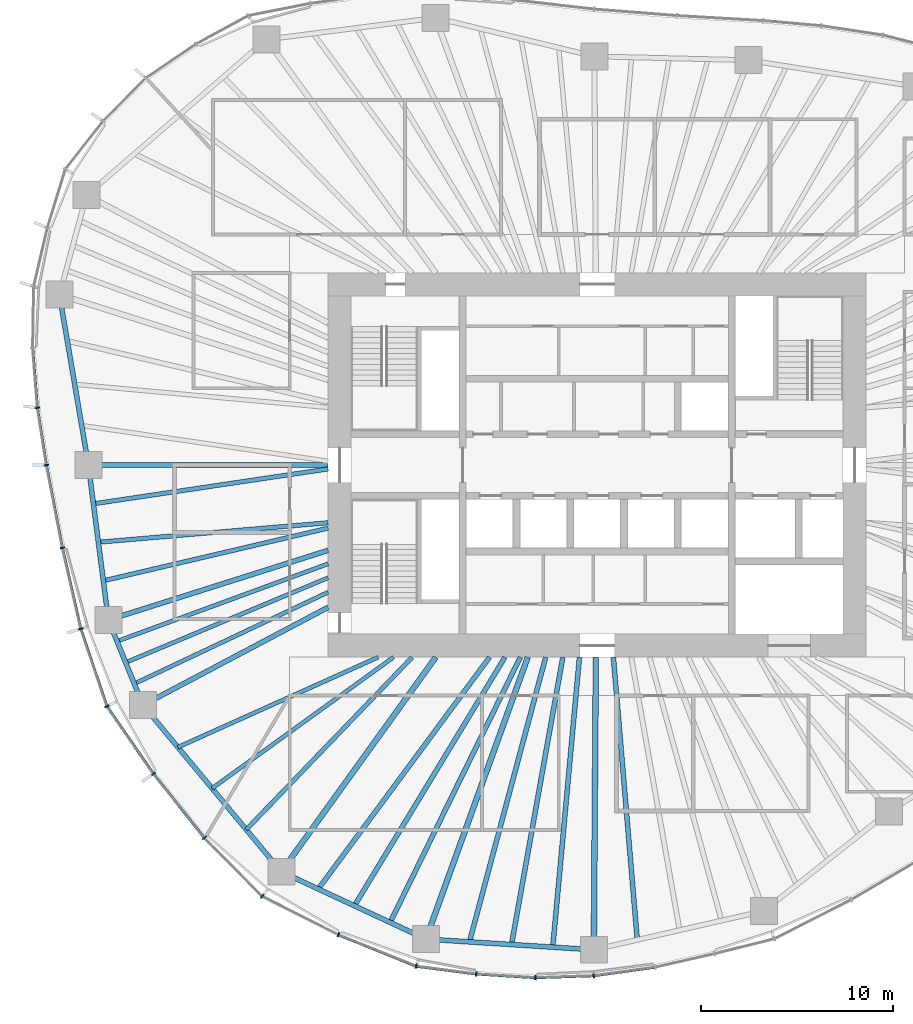
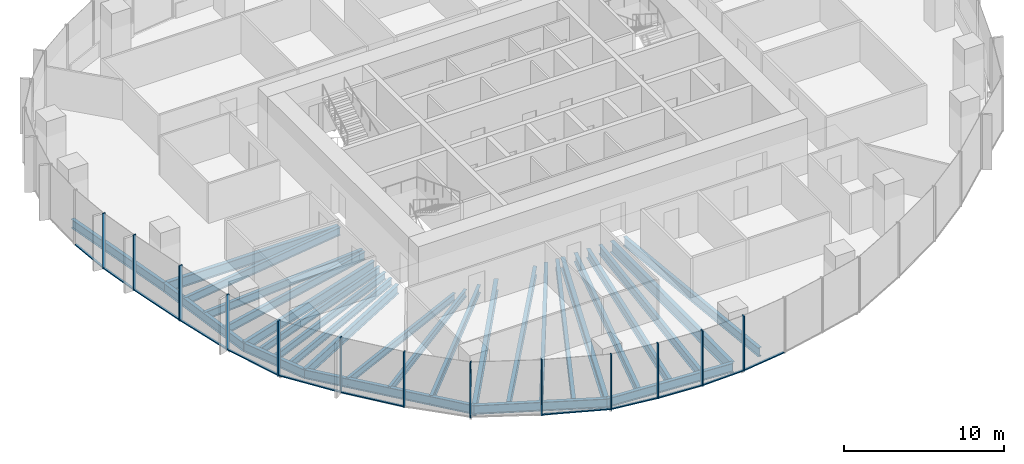
# One storey, part 2 of 18: 28 beams, 25 members, 7 elements without a shape of their own.
"""IFC4 building model written with IfcOpenShell, lengths in metres."""

from ifc_helpers import new_model, si_unit, direction, frame, origin, origin_2d, place, context, subcontext, project, spatial, rectangle, i_section, extrude, material, material_profile, profile_set, type_object, element, aggregate, save


model = new_model("IFC4")

# Units and contexts
model_context = context("Model", 3, precision=1e-05, world=origin(), true_north=direction((0.0, 1.0)))
body_context = subcontext(model_context, "Body", "Model", "MODEL_VIEW")
ifc_project = project(units=[si_unit("LENGTHUNIT", "METRE"), si_unit("AREAUNIT", "SQUARE_METRE"), si_unit("VOLUMEUNIT", "CUBIC_METRE"), si_unit("PLANEANGLEUNIT", "RADIAN"), si_unit("MASSUNIT", "GRAM", prefix="KILO")], contexts=[model_context])

# Site, building, storey
site_placement = place(None, origin())
site = spatial("IfcSite", under=ifc_project, at=site_placement, CompositionType="ELEMENT")
building_placement = place(site_placement, origin())
building = spatial("IfcBuilding", under=site, at=building_placement, Name="Ghaith Harvest Tower", CompositionType="ELEMENT")
storey_placement = place(building_placement, frame((0.0, 0.0, 155.39990234375)))
storey = spatial("IfcBuildingStorey", under=building, at=storey_placement, Name="L33", CompositionType="ELEMENT", Elevation=155.39990234375)

# Curtain wall, member
ifc_material_1 = material(Name="Black anodised aluminium and fritted glass", Category="aluminium")
curtain_wall_type = type_object("IfcCurtainWallType", Name="CW-L CURTAIN WALL", PredefinedType="NOTDEFINED", material=ifc_material_1)
curtain_wall_1_placement = place(storey_placement, origin())
curtain_wall_1 = element("IfcCurtainWall", 1, at=curtain_wall_1_placement, inside=storey, type_object=curtain_wall_type, Name="Curtain wall CW-L bay 10 L33", PredefinedType="NOTDEFINED")
ifc_material_2 = material(Name="Aluminium, black anodised", Category="aluminium")
ifc_material_profile_1 = material_profile(ifc_material_2, rectangle(XDim=0.080078125, YDim=0.239990234375, at=origin_2d()), Name="CW-L MULLION 80x240")
ifc_profile_set_1 = profile_set([ifc_material_profile_1], Name="Aluminium, black anodised")
member_type_1 = type_object("IfcMemberType", Name="CW-L MULLION 80x240", PredefinedType="MULLION", material=ifc_profile_set_1)
member_1_placement = place(storey_placement, frame((-29.131103515625, 2.990478515625, 0.0), z_axis=(0.0, 0.0, 1.0), x_axis=(0.116763791346, -0.993159713757, 0.0)))
member_1 = element("IfcMember", 2, at=member_1_placement, type_object=member_type_1, Name="CW-L mullion 3 bay 10 L33", PredefinedType="MULLION", context=body_context, shape_type="SweptSolid", body=[
    extrude(rectangle(XDim=0.080078125, YDim=0.239990234375, at=origin_2d()), origin(), (0.0, 0.0, 1.0), 4.2001953125),
])

# Curtain wall, members
curtain_wall_2_placement = place(storey_placement, origin())
curtain_wall_2 = element("IfcCurtainWall", 3, at=curtain_wall_2_placement, inside=storey, type_object=curtain_wall_type, Name="Curtain wall CW-L bay 11 L33", PredefinedType="NOTDEFINED")
member_2_placement = place(storey_placement, frame((-28.6611328125, 0.0, 0.0), z_axis=(0.0, 0.0, 1.0), x_axis=(0.175827209372, -0.984421044292, 0.0)))
member_2 = element("IfcMember", 4, at=member_2_placement, type_object=member_type_1, Name="CW-L mullion 1 bay 11 L33", PredefinedType="MULLION", context=body_context, shape_type="SweptSolid", body=[
    extrude(rectangle(XDim=0.080078125, YDim=0.239990234375, at=origin_2d()), origin(), (0.0, 0.0, 1.0), 4.2001953125),
])
member_3_placement = place(storey_placement, frame((-27.828125, -4.30419921875, 0.0), z_axis=(0.0, 0.0, 1.0), x_axis=(0.205176300018, -0.978725030798, 0.0)))
member_3 = element("IfcMember", 5, at=member_3_placement, type_object=member_type_1, Name="CW-L mullion 2 bay 11 L33", PredefinedType="MULLION", context=body_context, shape_type="SweptSolid", body=[
    extrude(rectangle(XDim=0.080078125, YDim=0.239990234375, at=origin_2d()), origin(), (0.0, 0.0, 1.0), 4.2001953125),
])

curtain_wall_3_placement = place(storey_placement, origin())
curtain_wall_3 = element("IfcCurtainWall", 6, at=curtain_wall_3_placement, inside=storey, type_object=curtain_wall_type, Name="Curtain wall CW-L bay 12 L33", PredefinedType="NOTDEFINED")
member_4_placement = place(storey_placement, frame((-26.875732421875, -8.517333984375, 0.0), z_axis=(0.0, 0.0, 1.0), x_axis=(0.270018818005, -0.962855045125, 0.0)))
member_4 = element("IfcMember", 7, at=member_4_placement, type_object=member_type_1, Name="CW-L mullion 1 bay 12 L33", PredefinedType="MULLION", context=body_context, shape_type="SweptSolid", body=[
    extrude(rectangle(XDim=0.080078125, YDim=0.239990234375, at=origin_2d()), origin(), (0.0, 0.0, 1.0), 4.2001953125),
])
member_5_placement = place(storey_placement, frame((-25.513427734375, -12.55810546875, 0.0), z_axis=(0.0, 0.0, 1.0), x_axis=(0.448267068681, -0.893899678452, 0.0)))
member_5 = element("IfcMember", 8, at=member_5_placement, type_object=member_type_1, Name="CW-L mullion 2 bay 12 L33", PredefinedType="MULLION", context=body_context, shape_type="SweptSolid", body=[
    extrude(rectangle(XDim=0.080078125, YDim=0.239990234375, at=origin_2d()), origin(), (0.0, 0.0, 1.0), 4.2001953125),
])

curtain_wall_4_placement = place(storey_placement, origin())
curtain_wall_4 = element("IfcCurtainWall", 9, at=curtain_wall_4_placement, inside=storey, type_object=curtain_wall_type, Name="Curtain wall CW-L bay 13 L33", PredefinedType="NOTDEFINED")
member_6_placement = place(storey_placement, frame((-23.090087890625, -16.066162109375, 0.0), z_axis=(0.0, 0.0, 1.0), x_axis=(0.595740202191, -0.803177198066, 0.0)))
member_6 = element("IfcMember", 10, at=member_6_placement, type_object=member_type_1, Name="CW-L mullion 1 bay 13 L33", PredefinedType="MULLION", context=body_context, shape_type="SweptSolid", body=[
    extrude(rectangle(XDim=0.080078125, YDim=0.239990234375, at=origin_2d()), origin(), (0.0, 0.0, 1.0), 4.2001953125),
])
member_7_placement = place(storey_placement, frame((-20.441162109375, -19.396728515625, 0.0), z_axis=(0.0, 0.0, 1.0), x_axis=(0.663764675537, -0.747941478666, 0.0)))
member_7 = element("IfcMember", 11, at=member_7_placement, type_object=member_type_1, Name="CW-L mullion 2 bay 13 L33", PredefinedType="MULLION", context=body_context, shape_type="SweptSolid", body=[
    extrude(rectangle(XDim=0.080078125, YDim=0.239990234375, at=origin_2d()), origin(), (0.0, 0.0, 1.0), 4.2001953125),
])

curtain_wall_5_placement = place(storey_placement, origin())
curtain_wall_5 = element("IfcCurtainWall", 12, at=curtain_wall_5_placement, inside=storey, type_object=curtain_wall_type, Name="Curtain wall CW-L bay 14 L33", PredefinedType="NOTDEFINED")
member_8_placement = place(storey_placement, frame((-17.430419921875, -22.443603515625, 0.0), z_axis=(0.0, 0.0, 1.0), x_axis=(0.810339399222, -0.585960799089, 0.0)))
member_8 = element("IfcMember", 13, at=member_8_placement, type_object=member_type_1, Name="CW-L mullion 1 bay 14 L33", PredefinedType="MULLION", context=body_context, shape_type="SweptSolid", body=[
    extrude(rectangle(XDim=0.080078125, YDim=0.239990234375, at=origin_2d()), origin(), (0.0, 0.0, 1.0), 4.2001953125),
])
member_9_placement = place(storey_placement, frame((-13.463134765625, -24.4423828125, 0.0), z_axis=(0.0, 0.0, 1.0), x_axis=(0.910648017946, -0.413182995066, 0.0)))
member_9 = element("IfcMember", 14, at=member_9_placement, type_object=member_type_1, Name="CW-L mullion 2 bay 14 L33", PredefinedType="MULLION", context=body_context, shape_type="SweptSolid", body=[
    extrude(rectangle(XDim=0.080078125, YDim=0.239990234375, at=origin_2d()), origin(), (0.0, 0.0, 1.0), 4.2001953125),
])

curtain_wall_6_placement = place(storey_placement, origin())
curtain_wall_6 = element("IfcCurtainWall", 15, at=curtain_wall_6_placement, inside=storey, type_object=curtain_wall_type, Name="Curtain wall CW-L bay 15 L33", PredefinedType="NOTDEFINED")
member_10_placement = place(storey_placement, frame((-9.4189453125, -26.07861328125, 0.0), z_axis=(0.0, 0.0, 1.0), x_axis=(0.961788606004, -0.273793128768, 0.0)))
member_10 = element("IfcMember", 16, at=member_10_placement, type_object=member_type_1, Name="CW-L mullion 1 bay 15 L33", PredefinedType="MULLION", context=body_context, shape_type="SweptSolid", body=[
    extrude(rectangle(XDim=0.080078125, YDim=0.239990234375, at=origin_2d()), origin(), (0.0, 0.0, 1.0), 4.2001953125),
])
member_11_placement = place(storey_placement, frame((-6.29443359375, -26.483154296875, 0.0), z_axis=(0.0, 0.0, 1.0), x_axis=(0.995389243171, -0.095917957546, 0.0)))
member_11 = element("IfcMember", 17, at=member_11_placement, type_object=member_type_1, Name="CW-L mullion 2 bay 15 L33", PredefinedType="MULLION", context=body_context, shape_type="SweptSolid", body=[
    extrude(rectangle(XDim=0.080078125, YDim=0.239990234375, at=origin_2d()), origin(), (0.0, 0.0, 1.0), 4.2001953125),
])
member_12_placement = place(storey_placement, frame((-3.21923828125, -26.676025390625, 0.0), z_axis=(0.0, 0.0, 1.0), x_axis=(0.999890531495, -0.014796115241, 0.0)))
member_12 = element("IfcMember", 18, at=member_12_placement, type_object=member_type_1, Name="CW-L mullion 3 bay 15 L33", PredefinedType="MULLION", context=body_context, shape_type="SweptSolid", body=[
    extrude(rectangle(XDim=0.080078125, YDim=0.239990234375, at=origin_2d()), origin(), (0.0, 0.0, 1.0), 4.2001953125),
])

# Curtain wall, member
curtain_wall_7_placement = place(storey_placement, origin())
curtain_wall_7 = element("IfcCurtainWall", 19, at=curtain_wall_7_placement, inside=storey, type_object=curtain_wall_type, Name="Curtain wall CW-L bay 16 L33", PredefinedType="NOTDEFINED")
member_13_placement = place(storey_placement, frame((-0.181884765625, -26.57373046875, 0.0), z_axis=(0.0, 0.0, 1.0), x_axis=(0.996169227662, 0.087446382772, 0.0)))
member_13 = element("IfcMember", 20, at=member_13_placement, type_object=member_type_1, Name="CW-L mullion 1 bay 16 L33", PredefinedType="MULLION", context=body_context, shape_type="SweptSolid", body=[
    extrude(rectangle(XDim=0.080078125, YDim=0.239990234375, at=origin_2d()), origin(), (0.0, 0.0, 1.0), 4.2001953125),
])

# Member
ifc_material_3 = material(Name="Aluminium, black anodised", Category="aluminium")
ifc_material_profile_2 = material_profile(ifc_material_3, rectangle(XDim=0.14990234375, YDim=0.080078125, at=origin_2d()), Name="CW-L TRANSOM 150x80")
ifc_profile_set_2 = profile_set([ifc_material_profile_2], Name="Aluminium, black anodised")
member_type_2 = type_object("IfcMemberType", Name="CW-L TRANSOM 150x80", PredefinedType="USERDEFINED", material=ifc_profile_set_2)
member_14_placement = place(storey_placement, frame((-29.374755859375, 6.05615234375, 0.0400390625), z_axis=(0.079230491279, -0.996856323274, 0.0), x_axis=(0.996856323274, 0.079230491279, 0.0)))
member_14 = element("IfcMember", 21, at=member_14_placement, type_object=member_type_2, Name="CW-L transom 2 bay 10 L33", ObjectType="TRANSOM", PredefinedType="USERDEFINED", context=body_context, shape_type="SweptSolid", body=[
    extrude(rectangle(XDim=0.14990234375, YDim=0.080078125, at=origin_2d()), origin(), (0.0, 0.0, 1.0), 3.03515625),
])

member_15_placement = place(storey_placement, frame((-29.124755859375, 2.951171875, 0.0400390625), z_axis=(0.155150065502, -0.987890913601, 0.0), x_axis=(0.987890913601, 0.155150065502, 0.0)))
member_15 = element("IfcMember", 22, at=member_15_placement, type_object=member_type_2, Name="CW-L transom 3 bay 10 L33", ObjectType="TRANSOM", PredefinedType="USERDEFINED", context=body_context, shape_type="SweptSolid", body=[
    extrude(rectangle(XDim=0.14990234375, YDim=0.080078125, at=origin_2d()), origin(), (0.0, 0.0, 1.0), 2.947265625),
])

aggregate(curtain_wall_1, [member_14, member_1, member_15])

member_16_placement = place(storey_placement, frame((-28.653564453125, -0.039306640625, 0.0400390625), z_axis=(0.190025434036, -0.981779167848, 0.0), x_axis=(0.981779167848, 0.190025434036, 0.0)))
member_16 = element("IfcMember", 23, at=member_16_placement, type_object=member_type_2, Name="CW-L transom 1 bay 11 L33", ObjectType="TRANSOM", PredefinedType="USERDEFINED", context=body_context, shape_type="SweptSolid", body=[
    extrude(rectangle(XDim=0.14990234375, YDim=0.080078125, at=origin_2d()), origin(), (0.0, 0.0, 1.0), 4.303955078125),
])

member_17_placement = place(storey_placement, frame((-27.8193359375, -4.34326171875, 0.0400390625), z_axis=(0.220508326041, -0.975385092231, 0.0), x_axis=(0.975385092231, 0.220508326041, 0.0)))
member_17 = element("IfcMember", 24, at=member_17_placement, type_object=member_type_2, Name="CW-L transom 2 bay 11 L33", ObjectType="TRANSOM", PredefinedType="USERDEFINED", context=body_context, shape_type="SweptSolid", body=[
    extrude(rectangle(XDim=0.14990234375, YDim=0.080078125, at=origin_2d()), origin(), (0.0, 0.0, 1.0), 4.2392578125),
])

aggregate(curtain_wall_2, [member_2, member_16, member_3, member_17])

member_18_placement = place(storey_placement, frame((-26.863037109375, -8.55517578125, 0.0400390625), z_axis=(0.319499057133, -0.947586593664, 0.0), x_axis=(0.947586593664, 0.319499057133, 0.0)))
member_18 = element("IfcMember", 25, at=member_18_placement, type_object=member_type_2, Name="CW-L transom 1 bay 12 L33", ObjectType="TRANSOM", PredefinedType="USERDEFINED", context=body_context, shape_type="SweptSolid", body=[
    extrude(rectangle(XDim=0.14990234375, YDim=0.080078125, at=origin_2d()), origin(), (0.0, 0.0, 1.0), 4.184326171875),
])

member_19_placement = place(storey_placement, frame((-25.49072265625, -12.591064453125, 0.0400390625), z_axis=(0.568360052499, -0.822779952796, 0.0), x_axis=(0.822779952796, 0.568360052499, 0.0)))
member_19 = element("IfcMember", 26, at=member_19_placement, type_object=member_type_2, Name="CW-L transom 2 bay 12 L33", ObjectType="TRANSOM", PredefinedType="USERDEFINED", context=body_context, shape_type="SweptSolid", body=[
    extrude(rectangle(XDim=0.14990234375, YDim=0.080078125, at=origin_2d()), origin(), (0.0, 0.0, 1.0), 4.183837890625),
])

aggregate(curtain_wall_3, [member_4, member_18, member_5, member_19])

member_20_placement = place(storey_placement, frame((-23.065185546875, -16.09765625, 0.0400390625), z_axis=(0.622510542814, -0.782611413209, 0.0), x_axis=(0.782611413209, 0.622510542814, 0.0)))
member_20 = element("IfcMember", 27, at=member_20_placement, type_object=member_type_2, Name="CW-L transom 1 bay 13 L33", ObjectType="TRANSOM", PredefinedType="USERDEFINED", context=body_context, shape_type="SweptSolid", body=[
    extrude(rectangle(XDim=0.14990234375, YDim=0.080078125, at=origin_2d()), origin(), (0.0, 0.0, 1.0), 4.17529296875),
])

aggregate(curtain_wall_4, [member_6, member_20, member_7])

member_21_placement = place(storey_placement, frame((-13.426025390625, -24.45751953125, 0.0400390625), z_axis=(0.92700297754, -0.375053968959, 0.0), x_axis=(0.375053968959, 0.92700297754, 0.0)))
member_21 = element("IfcMember", 28, at=member_21_placement, type_object=member_type_2, Name="CW-L transom 2 bay 14 L33", ObjectType="TRANSOM", PredefinedType="USERDEFINED", context=body_context, shape_type="SweptSolid", body=[
    extrude(rectangle(XDim=0.14990234375, YDim=0.080078125, at=origin_2d()), origin(), (0.0, 0.0, 1.0), 4.282470703125),
])

aggregate(curtain_wall_5, [member_8, member_9, member_21])

member_22_placement = place(storey_placement, frame((-9.37939453125, -26.083740234375, 0.0400390625), z_axis=(0.991722765635, -0.128397648429, 0.0), x_axis=(0.128397648429, 0.991722765635, 0.0)))
member_22 = element("IfcMember", 29, at=member_22_placement, type_object=member_type_2, Name="CW-L transom 1 bay 15 L33", ObjectType="TRANSOM", PredefinedType="USERDEFINED", context=body_context, shape_type="SweptSolid", body=[
    extrude(rectangle(XDim=0.14990234375, YDim=0.080078125, at=origin_2d()), origin(), (0.0, 0.0, 1.0), 3.07080078125),
])

member_23_placement = place(storey_placement, frame((-6.25439453125, -26.485595703125, 0.0400390625), z_axis=(0.998036402434, -0.062636566132, 0.0), x_axis=(0.062636566132, 0.998036402434, 0.0)))
member_23 = element("IfcMember", 30, at=member_23_placement, type_object=member_type_2, Name="CW-L transom 2 bay 15 L33", ObjectType="TRANSOM", PredefinedType="USERDEFINED", context=body_context, shape_type="SweptSolid", body=[
    extrude(rectangle(XDim=0.14990234375, YDim=0.080078125, at=origin_2d()), origin(), (0.0, 0.0, 1.0), 3.001220703125),
])

member_24_placement = place(storey_placement, frame((-3.17919921875, -26.6748046875, 0.0400390625), z_axis=(0.999430436664, 0.033746144522, 0.0), x_axis=(-0.033746144522, 0.999430436664, 0.0)))
member_24 = element("IfcMember", 31, at=member_24_placement, type_object=member_type_2, Name="CW-L transom 3 bay 15 L33", ObjectType="TRANSOM", PredefinedType="USERDEFINED", context=body_context, shape_type="SweptSolid", body=[
    extrude(rectangle(XDim=0.14990234375, YDim=0.080078125, at=origin_2d()), origin(), (0.0, 0.0, 1.0), 2.958984375),
])

aggregate(curtain_wall_6, [member_10, member_22, member_11, member_23, member_12, member_24])

member_25_placement = place(storey_placement, frame((-0.142333984375, -26.568115234375, 0.0400390625), z_axis=(0.990446640965, 0.137896524254, 0.0), x_axis=(-0.137896524254, 0.990446640965, 0.0)))
member_25 = element("IfcMember", 32, at=member_25_placement, type_object=member_type_2, Name="CW-L transom 1 bay 16 L33", ObjectType="TRANSOM", PredefinedType="USERDEFINED", context=body_context, shape_type="SweptSolid", body=[
    extrude(rectangle(XDim=0.14990234375, YDim=0.080078125, at=origin_2d()), origin(), (0.0, 0.0, 1.0), 3.142578125),
])

aggregate(curtain_wall_7, [member_13, member_25])

# Beams
ifc_material_4 = material(Name="Steel ASTM A992 Grade 50", Category="steel")
ifc_material_profile_3 = material_profile(ifc_material_4, i_section(OverallWidth=0.25390625, OverallDepth=0.68408203125, WebThickness=0.012451171875, FlangeThickness=0.018798828125, at=origin_2d()), Name="W690X140")
ifc_profile_set_3 = profile_set([ifc_material_profile_3], Name="Steel ASTM A992 Grade 50")
beam_type_1 = type_object("IfcBeamType", Name="E690-140 W690X140", PredefinedType="SPANDREL", material=ifc_profile_set_3)
beam_1_placement = place(storey_placement, frame((-27.98291015625, 8.867919921875, -0.511962890625), z_axis=(0.167624246844, -0.985850958244, 0.0), x_axis=(0.985850958244, 0.167624246844, 0.0)))
element("IfcBeam", 33, at=beam_1_placement, inside=storey, type_object=beam_type_1, Name="Edge beam E10 L33", PredefinedType="SPANDREL", context=body_context, shape_type="SweptSolid", body=[
    extrude(i_section(OverallWidth=0.25390625, OverallDepth=0.68408203125, WebThickness=0.012451171875, FlangeThickness=0.018798828125, at=origin_2d()), origin(), (0.0, 0.0, 1.0), 8.9951171875),
])
beam_2_placement = place(storey_placement, frame((-26.47509765625, 0.0, -0.511962890625), z_axis=(0.127841715048, -0.991794583517, 0.0), x_axis=(0.991794583517, 0.127841715048, 0.0)))
element("IfcBeam", 34, at=beam_2_placement, inside=storey, type_object=beam_type_1, Name="Edge beam E11 L33", PredefinedType="SPANDREL", context=body_context, shape_type="SweptSolid", body=[
    extrude(i_section(OverallWidth=0.25390625, OverallDepth=0.68408203125, WebThickness=0.012451171875, FlangeThickness=0.018798828125, at=origin_2d()), origin(), (0.0, 0.0, 1.0), 8.127685546875),
])
beam_3_placement = place(storey_placement, frame((-25.43603515625, -8.06103515625, -0.511962890625), z_axis=(0.376479712052, -0.9264248628, 0.0), x_axis=(0.9264248628, 0.376479712052, 0.0)))
element("IfcBeam", 35, at=beam_3_placement, inside=storey, type_object=beam_type_1, Name="Edge beam E12 L33", PredefinedType="SPANDREL", context=body_context, shape_type="SweptSolid", body=[
    extrude(i_section(OverallWidth=0.25390625, OverallDepth=0.68408203125, WebThickness=0.012451171875, FlangeThickness=0.018798828125, at=origin_2d()), origin(), (0.0, 0.0, 1.0), 4.783935546875),
])
beam_4_placement = place(storey_placement, frame((-23.635009765625, -12.492919921875, -0.511962890625), z_axis=(0.638719320052, -0.769439815835, 0.0), x_axis=(0.769439815835, 0.638719320052, 0.0)))
element("IfcBeam", 36, at=beam_4_placement, inside=storey, type_object=beam_type_1, Name="Edge beam E13 L33", PredefinedType="SPANDREL", context=body_context, shape_type="SweptSolid", body=[
    extrude(i_section(OverallWidth=0.25390625, OverallDepth=0.68408203125, WebThickness=0.012451171875, FlangeThickness=0.018798828125, at=origin_2d()), origin(), (0.0, 0.0, 1.0), 11.26953125),
])
beam_5_placement = place(storey_placement, frame((-16.43701171875, -21.1640625, -0.511962890625), z_axis=(0.906607079462, -0.421975832802, 0.0), x_axis=(0.421975832802, 0.906607079462, 0.0)))
element("IfcBeam", 37, at=beam_5_placement, inside=storey, type_object=beam_type_1, Name="Edge beam E14 L33", PredefinedType="SPANDREL", context=body_context, shape_type="SweptSolid", body=[
    extrude(i_section(OverallWidth=0.25390625, OverallDepth=0.68408203125, WebThickness=0.012451171875, FlangeThickness=0.018798828125, at=origin_2d()), origin(), (0.0, 0.0, 1.0), 8.303466796875),
])
beam_6_placement = place(storey_placement, frame((-8.908935546875, -24.66796875, -0.511962890625), z_axis=(0.99797963184, -0.063534671101, 0.0), x_axis=(0.063534671101, 0.99797963184, 0.0)))
element("IfcBeam", 38, at=beam_6_placement, inside=storey, type_object=beam_type_1, Name="Edge beam E15 L33", PredefinedType="SPANDREL", context=body_context, shape_type="SweptSolid", body=[
    extrude(i_section(OverallWidth=0.25390625, OverallDepth=0.68408203125, WebThickness=0.012451171875, FlangeThickness=0.018798828125, at=origin_2d()), origin(), (0.0, 0.0, 1.0), 8.75341796875),
])
ifc_material_5 = material(Name="Steel ASTM A992 Grade 50", Category="steel")
ifc_material_profile_4 = material_profile(ifc_material_5, i_section(OverallWidth=0.256103515625, OverallDepth=0.693115234375, WebThickness=0.014404296875, FlangeThickness=0.023681640625, at=origin_2d()), Name="W690X170")
ifc_profile_set_4 = profile_set([ifc_material_profile_4], Name="Steel ASTM A992 Grade 50")
beam_type_2 = type_object("IfcBeamType", Name="G690-170 W690X170", PredefinedType="BEAM", material=ifc_profile_set_4)
beam_7_placement = place(storey_placement, frame((-14.0, -4.43701171875, -0.516357421875), z_axis=(-0.953279533519, -0.302089607522, 0.0), x_axis=(0.302089607522, -0.953279533519, 0.0)))
element("IfcBeam", 39, at=beam_7_placement, inside=storey, type_object=beam_type_2, Name="Radial girder G12 L33", PredefinedType="BEAM", context=body_context, shape_type="SweptSolid", body=[
    extrude(i_section(OverallWidth=0.256103515625, OverallDepth=0.693115234375, WebThickness=0.014404296875, FlangeThickness=0.023681640625, at=origin_2d()), origin(), (0.0, 0.0, 1.0), 11.99658203125),
])
beam_8_placement = place(storey_placement, frame((-14.0, -7.39990234375, -0.516357421875), z_axis=(-0.884086346066, -0.467323584576, 0.0), x_axis=(0.467323584576, -0.884086346066, 0.0)))
element("IfcBeam", 40, at=beam_8_placement, inside=storey, type_object=beam_type_2, Name="Radial girder G13 L33", PredefinedType="BEAM", context=body_context, shape_type="SweptSolid", body=[
    extrude(i_section(OverallWidth=0.256103515625, OverallDepth=0.693115234375, WebThickness=0.014404296875, FlangeThickness=0.023681640625, at=origin_2d()), origin(), (0.0, 0.0, 1.0), 10.898193359375),
])
ifc_material_6 = material(Name="Steel ASTM A992 Grade 50", Category="steel")
ifc_material_profile_5 = material_profile(ifc_material_6, i_section(OverallWidth=0.26806640625, OverallDepth=0.77001953125, WebThickness=0.015625, FlangeThickness=0.025390625, at=origin_2d()), Name="W760X196")
ifc_profile_set_5 = profile_set([ifc_material_profile_5], Name="Steel ASTM A992 Grade 50")
beam_type_3 = type_object("IfcBeamType", Name="G760-196 W760X196", PredefinedType="BEAM", material=ifc_profile_set_5)
beam_9_placement = place(storey_placement, frame((-14.0, 0.0, -0.554931640625), z_axis=(-1.0, 0.0, 0.0), x_axis=(0.0, -1.0, 0.0)))
element("IfcBeam", 41, at=beam_9_placement, inside=storey, type_object=beam_type_3, Name="Radial girder G11 L33", PredefinedType="BEAM", context=body_context, shape_type="SweptSolid", body=[
    extrude(i_section(OverallWidth=0.26806640625, OverallDepth=0.77001953125, WebThickness=0.015625, FlangeThickness=0.025390625, at=origin_2d()), origin(), (0.0, 0.0, 1.0), 12.47509765625),
])
ifc_material_7 = material(Name="Steel ASTM A992 Grade 50", Category="steel")
ifc_material_profile_6 = material_profile(ifc_material_7, i_section(OverallWidth=0.2939453125, OverallDepth=0.85107421875, WebThickness=0.01611328125, FlangeThickness=0.02685546875, at=origin_2d()), Name="W840X226")
ifc_profile_set_6 = profile_set([ifc_material_profile_6], Name="Steel ASTM A992 Grade 50")
beam_type_4 = type_object("IfcBeamType", Name="G840-226 W840X226", PredefinedType="BEAM", material=ifc_profile_set_6)
beam_10_placement = place(storey_placement, frame((-8.39990234375, -10.0, -0.595458984375), z_axis=(-0.584256100809, -0.811569349265, 0.0), x_axis=(0.811569349265, -0.584256100809, 0.0)))
element("IfcBeam", 42, at=beam_10_placement, inside=storey, type_object=beam_type_4, Name="Radial girder G14 L33", PredefinedType="BEAM", context=body_context, shape_type="SweptSolid", body=[
    extrude(i_section(OverallWidth=0.2939453125, OverallDepth=0.85107421875, WebThickness=0.01611328125, FlangeThickness=0.02685546875, at=origin_2d()), origin(), (0.0, 0.0, 1.0), 13.756103515625),
])
beam_11_placement = place(storey_placement, frame((-3.61181640625, -10.0, -0.595458984375), z_axis=(-0.339664467784, -0.940546675782, 0.0), x_axis=(0.940546675782, -0.339664467784, 0.0)))
element("IfcBeam", 43, at=beam_11_placement, inside=storey, type_object=beam_type_4, Name="Radial girder G15 L33", PredefinedType="BEAM", context=body_context, shape_type="SweptSolid", body=[
    extrude(i_section(OverallWidth=0.2939453125, OverallDepth=0.85107421875, WebThickness=0.01611328125, FlangeThickness=0.02685546875, at=origin_2d()), origin(), (0.0, 0.0, 1.0), 15.59521484375),
])
beam_12_placement = place(storey_placement, frame((-0.068359375, -10.0, -0.595458984375), z_axis=(-0.006879467722, -0.999976336182, 0.0), x_axis=(0.999976336182, -0.006879467722, 0.0)))
element("IfcBeam", 44, at=beam_12_placement, inside=storey, type_object=beam_type_4, Name="Radial girder G16 L33", PredefinedType="BEAM", context=body_context, shape_type="SweptSolid", body=[
    extrude(i_section(OverallWidth=0.2939453125, OverallDepth=0.85107421875, WebThickness=0.01611328125, FlangeThickness=0.02685546875, at=origin_2d()), origin(), (0.0, 0.0, 1.0), 15.224365234375),
])
ifc_material_8 = material(Name="Steel ASTM A992 Grade 50", Category="steel")
ifc_material_profile_7 = material_profile(ifc_material_8, i_section(OverallWidth=0.2109375, OverallDepth=0.5390625, WebThickness=0.01171875, FlangeThickness=0.018798828125, at=origin_2d()), Name="W530X109")
ifc_profile_set_7 = profile_set([ifc_material_profile_7], Name="Steel ASTM A992 Grade 50")
beam_type_5 = type_object("IfcBeamType", Name="J530-109 W530X109", PredefinedType="JOIST", material=ifc_profile_set_7)
beam_13_placement = place(storey_placement, frame((-14.0, -5.137939453125, -0.439453125), z_axis=(-0.938774452531, -0.344532331247, 0.0), x_axis=(0.344532331247, -0.938774452531, 0.0)))
element("IfcBeam", 45, at=beam_13_placement, inside=storey, type_object=beam_type_5, Name="Joist J12.1 L33", PredefinedType="JOIST", context=body_context, shape_type="SweptSolid", body=[
    extrude(i_section(OverallWidth=0.2109375, OverallDepth=0.5390625, WebThickness=0.01171875, FlangeThickness=0.018798828125, at=origin_2d()), origin(), (0.0, 0.0, 1.0), 11.7021484375),
])
beam_14_placement = place(storey_placement, frame((-14.0, -5.862548828125, -0.439453125), z_axis=(-0.922385564947, -0.386270461693, 0.0), x_axis=(0.386270461693, -0.922385564947, 0.0)))
element("IfcBeam", 46, at=beam_14_placement, inside=storey, type_object=beam_type_5, Name="Joist J12.2 L33", PredefinedType="JOIST", context=body_context, shape_type="SweptSolid", body=[
    extrude(i_section(OverallWidth=0.2109375, OverallDepth=0.5390625, WebThickness=0.01171875, FlangeThickness=0.018798828125, at=origin_2d()), origin(), (0.0, 0.0, 1.0), 11.4228515625),
])
beam_15_placement = place(storey_placement, frame((-14.0, -6.614990234375, -0.439453125), z_axis=(-0.904150042111, -0.427215052815, 0.0), x_axis=(0.427215052815, -0.904150042111, 0.0)))
element("IfcBeam", 47, at=beam_15_placement, inside=storey, type_object=beam_type_5, Name="Joist J12.3 L33", PredefinedType="JOIST", context=body_context, shape_type="SweptSolid", body=[
    extrude(i_section(OverallWidth=0.2109375, OverallDepth=0.5390625, WebThickness=0.01171875, FlangeThickness=0.018798828125, at=origin_2d()), origin(), (0.0, 0.0, 1.0), 11.15625),
])
beam_16_placement = place(storey_placement, frame((-11.39990234375, -10.0, -0.439453125), z_axis=(-0.912147734774, -0.409861574127, 0.0), x_axis=(0.409861574127, -0.912147734774, 0.0)))
element("IfcBeam", 48, at=beam_16_placement, inside=storey, type_object=beam_type_5, Name="Joist J13.1 L33", PredefinedType="JOIST", context=body_context, shape_type="SweptSolid", body=[
    extrude(i_section(OverallWidth=0.2109375, OverallDepth=0.5390625, WebThickness=0.01171875, FlangeThickness=0.018798828125, at=origin_2d()), origin(), (0.0, 0.0, 1.0), 11.421875),
])
beam_17_placement = place(storey_placement, frame((-10.60009765625, -10.0, -0.439453125), z_axis=(-0.810452010932, -0.5858050341, 0.0), x_axis=(0.5858050341, -0.810452010932, 0.0)))
element("IfcBeam", 49, at=beam_17_placement, inside=storey, type_object=beam_type_5, Name="Joist J13.2 L33", PredefinedType="JOIST", context=body_context, shape_type="SweptSolid", body=[
    extrude(i_section(OverallWidth=0.2109375, OverallDepth=0.5390625, WebThickness=0.01171875, FlangeThickness=0.018798828125, at=origin_2d()), origin(), (0.0, 0.0, 1.0), 11.64794921875),
])
ifc_material_9 = material(Name="Steel ASTM A992 Grade 50", Category="steel")
ifc_material_profile_8 = material_profile(ifc_material_9, i_section(OverallWidth=0.22900390625, OverallDepth=0.612060546875, WebThickness=0.011962890625, FlangeThickness=0.01953125, at=origin_2d()), Name="W610X125")
ifc_profile_set_8 = profile_set([ifc_material_profile_8], Name="Steel ASTM A992 Grade 50")
beam_type_6 = type_object("IfcBeamType", Name="J610-125 W610X125", PredefinedType="JOIST", material=ifc_profile_set_8)
beam_18_placement = place(storey_placement, frame((-14.0, -0.199951171875, -0.475830078125), z_axis=(-0.989135422742, -0.147007195321, 0.0), x_axis=(0.147007195321, -0.989135422742, 0.0)))
element("IfcBeam", 50, at=beam_18_placement, inside=storey, type_object=beam_type_6, Name="Joist J11.1 L33", PredefinedType="JOIST", context=body_context, shape_type="SweptSolid", body=[
    extrude(i_section(OverallWidth=0.22900390625, OverallDepth=0.612060546875, WebThickness=0.011962890625, FlangeThickness=0.01953125, at=origin_2d()), origin(), (0.0, 0.0, 1.0), 12.349365234375),
])
beam_19_placement = place(storey_placement, frame((-14.0, -3.0, -0.475830078125), z_axis=(-0.996417474722, -0.0845707755, 0.0), x_axis=(0.0845707755, -0.996417474722, 0.0)))
element("IfcBeam", 51, at=beam_19_placement, inside=storey, type_object=beam_type_6, Name="Joist J11.2 L33", PredefinedType="JOIST", context=body_context, shape_type="SweptSolid", body=[
    extrude(i_section(OverallWidth=0.22900390625, OverallDepth=0.612060546875, WebThickness=0.011962890625, FlangeThickness=0.01953125, at=origin_2d()), origin(), (0.0, 0.0, 1.0), 12.00048828125),
])
beam_20_placement = place(storey_placement, frame((-14.0, -3.280517578125, -0.475830078125), z_axis=(-0.973624350862, -0.228157014813, 0.0), x_axis=(0.228157014813, -0.973624350862, 0.0)))
element("IfcBeam", 52, at=beam_20_placement, inside=storey, type_object=beam_type_6, Name="Joist J11.3 L33", PredefinedType="JOIST", context=body_context, shape_type="SweptSolid", body=[
    extrude(i_section(OverallWidth=0.22900390625, OverallDepth=0.612060546875, WebThickness=0.011962890625, FlangeThickness=0.01953125, at=origin_2d()), origin(), (0.0, 0.0, 1.0), 12.015625),
])
beam_21_placement = place(storey_placement, frame((-9.626708984375, -10.0, -0.475830078125), z_axis=(-0.693534641621, -0.720423278963, 0.0), x_axis=(0.720423278963, -0.693534641621, 0.0)))
element("IfcBeam", 53, at=beam_21_placement, inside=storey, type_object=beam_type_6, Name="Joist J13.3 L33", PredefinedType="JOIST", context=body_context, shape_type="SweptSolid", body=[
    extrude(i_section(OverallWidth=0.22900390625, OverallDepth=0.612060546875, WebThickness=0.011962890625, FlangeThickness=0.01953125, at=origin_2d()), origin(), (0.0, 0.0, 1.0), 12.4482421875),
])
ifc_material_10 = material(Name="Steel ASTM A992 Grade 50", Category="steel")
ifc_material_profile_9 = material_profile(ifc_material_10, i_section(OverallWidth=0.25390625, OverallDepth=0.68408203125, WebThickness=0.012451171875, FlangeThickness=0.018798828125, at=origin_2d()), Name="W690X140")
ifc_profile_set_9 = profile_set([ifc_material_profile_9], Name="Steel ASTM A992 Grade 50")
beam_type_7 = type_object("IfcBeamType", Name="J690-140 W690X140", PredefinedType="JOIST", material=ifc_profile_set_9)
beam_22_placement = place(storey_placement, frame((-5.60009765625, -10.0, -0.511962890625), z_axis=(-0.59434024765, -0.804213696739, 0.0), x_axis=(0.804213696739, -0.59434024765, 0.0)))
element("IfcBeam", 54, at=beam_22_placement, inside=storey, type_object=beam_type_7, Name="Joist J14.1 L33", PredefinedType="JOIST", context=body_context, shape_type="SweptSolid", body=[
    extrude(i_section(OverallWidth=0.25390625, OverallDepth=0.68408203125, WebThickness=0.012451171875, FlangeThickness=0.018798828125, at=origin_2d()), origin(), (0.0, 0.0, 1.0), 14.995849609375),
])
beam_23_placement = place(storey_placement, frame((-4.800048828125, -10.0, -0.511962890625), z_axis=(-0.517986442874, -0.855388826791, 0.0), x_axis=(0.855388826791, -0.517986442874, 0.0)))
element("IfcBeam", 55, at=beam_23_placement, inside=storey, type_object=beam_type_7, Name="Joist J14.2 L33", PredefinedType="JOIST", context=body_context, shape_type="SweptSolid", body=[
    extrude(i_section(OverallWidth=0.25390625, OverallDepth=0.68408203125, WebThickness=0.012451171875, FlangeThickness=0.018798828125, at=origin_2d()), origin(), (0.0, 0.0, 1.0), 15.12158203125),
])
beam_24_placement = place(storey_placement, frame((-4.0, -10.0, -0.511962890625), z_axis=(-0.440562898219, -0.897721745706, 0.0), x_axis=(0.897721745706, -0.440562898219, 0.0)))
element("IfcBeam", 56, at=beam_24_placement, inside=storey, type_object=beam_type_7, Name="Joist J14.3 L33", PredefinedType="JOIST", context=body_context, shape_type="SweptSolid", body=[
    extrude(i_section(OverallWidth=0.25390625, OverallDepth=0.68408203125, WebThickness=0.012451171875, FlangeThickness=0.018798828125, at=origin_2d()), origin(), (0.0, 0.0, 1.0), 15.372802734375),
])
beam_25_placement = place(storey_placement, frame((-2.677978515625, -10.0, -0.511962890625), z_axis=(-0.258693109612, -0.965959561803, 0.0), x_axis=(0.965959561803, -0.258693109612, 0.0)))
element("IfcBeam", 57, at=beam_25_placement, inside=storey, type_object=beam_type_7, Name="Joist J15.1 L33", PredefinedType="JOIST", context=body_context, shape_type="SweptSolid", body=[
    extrude(i_section(OverallWidth=0.25390625, OverallDepth=0.68408203125, WebThickness=0.012451171875, FlangeThickness=0.018798828125, at=origin_2d()), origin(), (0.0, 0.0, 1.0), 15.333984375),
])
beam_26_placement = place(storey_placement, frame((-1.785888671875, -10.0, -0.511962890625), z_axis=(-0.175792307544, -0.984427277461, 0.0), x_axis=(0.984427277461, -0.175792307544, 0.0)))
element("IfcBeam", 58, at=beam_26_placement, inside=storey, type_object=beam_type_7, Name="Joist J15.2 L33", PredefinedType="JOIST", context=body_context, shape_type="SweptSolid", body=[
    extrude(i_section(OverallWidth=0.25390625, OverallDepth=0.68408203125, WebThickness=0.012451171875, FlangeThickness=0.018798828125, at=origin_2d()), origin(), (0.0, 0.0, 1.0), 15.18798828125),
])
beam_27_placement = place(storey_placement, frame((-0.92041015625, -10.0, -0.511962890625), z_axis=(-0.091651457116, -0.995791147987, 0.0), x_axis=(0.995791147987, -0.091651457116, 0.0)))
element("IfcBeam", 59, at=beam_27_placement, inside=storey, type_object=beam_type_7, Name="Joist J15.3 L33", PredefinedType="JOIST", context=body_context, shape_type="SweptSolid", body=[
    extrude(i_section(OverallWidth=0.25390625, OverallDepth=0.68408203125, WebThickness=0.012451171875, FlangeThickness=0.018798828125, at=origin_2d()), origin(), (0.0, 0.0, 1.0), 15.151611328125),
])
beam_28_placement = place(storey_placement, frame((0.844970703125, -10.0, -0.511962890625), z_axis=(0.084208979751, -0.996448115924, 0.0), x_axis=(0.996448115924, 0.084208979751, 0.0)))
element("IfcBeam", 60, at=beam_28_placement, inside=storey, type_object=beam_type_7, Name="Joist J16.1 L33", PredefinedType="JOIST", context=body_context, shape_type="SweptSolid", body=[
    extrude(i_section(OverallWidth=0.25390625, OverallDepth=0.68408203125, WebThickness=0.012451171875, FlangeThickness=0.018798828125, at=origin_2d()), origin(), (0.0, 0.0, 1.0), 14.760009765625),
])

save(model, "model.ifc")
